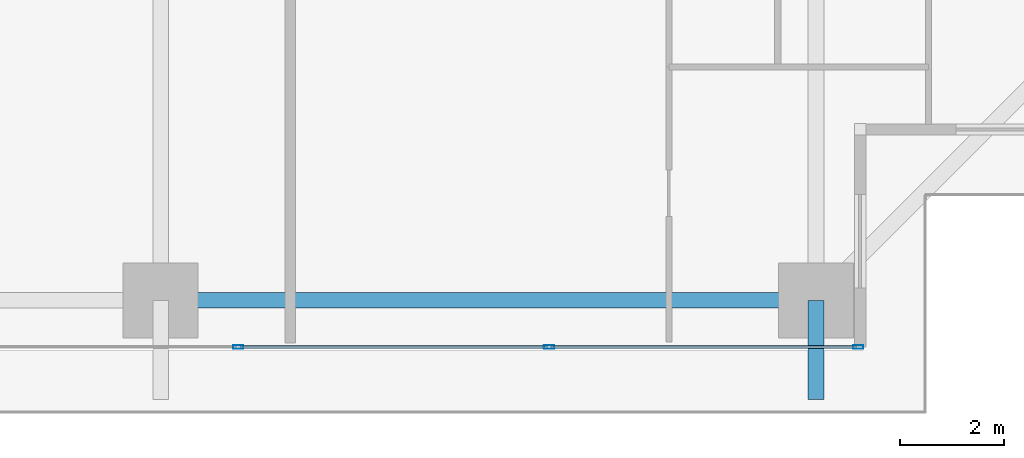
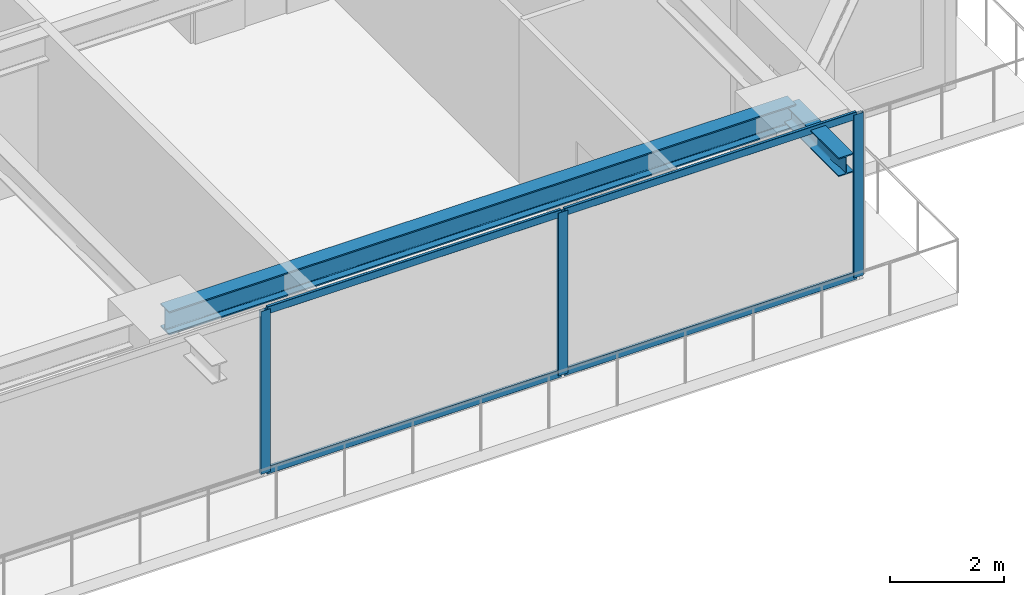
# One storey, part 10 of 38: 7 members, 2 beams, 1 element without a shape of its own.
"""IFC4 building model written with IfcOpenShell, lengths in metres."""

from ifc_helpers import new_model, si_unit, direction, frame, origin, origin_2d, place, context, subcontext, project, spatial, hollow_rectangle, i_section, extrude, source, transform, mapped, material, layer, layer_set, material_profile, profile_set, type_object, element, aggregate, save


model = new_model("IFC4")

# Units and contexts
model_context = context("Model", 3, precision=1e-05, world=origin(), true_north=direction((0.0, 1.0)))
body_context = subcontext(model_context, "Body", "Model", "MODEL_VIEW")
ifc_project = project(units=[si_unit("LENGTHUNIT", "METRE"), si_unit("AREAUNIT", "SQUARE_METRE"), si_unit("VOLUMEUNIT", "CUBIC_METRE"), si_unit("PLANEANGLEUNIT", "RADIAN"), si_unit("MASSUNIT", "GRAM", prefix="KILO")], contexts=[model_context])

# Site, building, storey
site_placement = place(None, origin())
site = spatial("IfcSite", under=ifc_project, at=site_placement, CompositionType="ELEMENT")
building_placement = place(site_placement, origin())
building = spatial("IfcBuilding", under=site, at=building_placement, Name="Serunith Strait Residences", CompositionType="ELEMENT")
storey_placement = place(building_placement, frame((0.0, 0.0, 67.949951171875)))
storey = spatial("IfcBuildingStorey", under=building, at=storey_placement, Name="L16", CompositionType="ELEMENT", Elevation=67.949951171875)

# Beams
ifc_material_1 = material(Name="Steel S355J2", Category="steel")
ifc_material_profile_1 = material_profile(ifc_material_1, i_section(OverallWidth=0.300048828125, OverallDepth=0.5, WebThickness=0.014404296875, FlangeThickness=0.028076171875, FilletRadius=0.027099609375, at=origin_2d()), Name="HEB 500")
ifc_profile_set_1 = profile_set([ifc_material_profile_1], Name="Steel S355J2")
beam_type_1 = type_object("IfcBeamType", Name="BM-HEB500", PredefinedType="BEAM", material=ifc_profile_set_1)
shared_shape_1 = source(origin(), body_context, "Body", "SweptSolid", [
    extrude(i_section(OverallWidth=0.300048828125, OverallDepth=0.5, WebThickness=0.014404296875, FlangeThickness=0.028076171875, FilletRadius=0.027099609375, at=origin_2d()), origin(), (0.0, 0.0, 1.0), 12.650146484375),
])
beam_1_placement = place(storey_placement, frame((36.89990234375, 1.10009765625, 3.237060546875), z_axis=(1.0, 0.0, 0.0), x_axis=(0.0, 1.0, 0.0)))
element("IfcBeam", 1, at=beam_1_placement, inside=storey, type_object=beam_type_1, Name="L16 Perimeter Ring Beam 03", PredefinedType="BEAM", context=body_context, shape_type="MappedRepresentation", body=[
    mapped(shared_shape_1, transform((0.0, 0.0, 0.0), scale=1.0)),
])
ifc_material_profile_2 = material_profile(ifc_material_1, i_section(OverallWidth=0.300048828125, OverallDepth=0.39990234375, WebThickness=0.013427734375, FlangeThickness=0.02392578125, FilletRadius=0.027099609375, at=origin_2d()), Name="HEB 400")
ifc_profile_set_2 = profile_set([ifc_material_profile_2], Name="Steel S355J2")
beam_type_2 = type_object("IfcBeamType", Name="BM-HEB400", PredefinedType="BEAM", material=ifc_profile_set_2)
shared_shape_2 = source(origin(), body_context, "Body", "SweptSolid", [
    extrude(i_section(OverallWidth=0.300048828125, OverallDepth=0.39990234375, WebThickness=0.013427734375, FlangeThickness=0.02392578125, FilletRadius=0.027099609375, at=origin_2d()), origin(), (0.0, 0.0, 1.0), 1.91015625),
])
beam_2_placement = place(storey_placement, frame((49.550048828125, 1.10009765625, 3.257080078125), z_axis=(0.0, -1.0, 0.0), x_axis=(1.0, 0.0, 0.0)))
element("IfcBeam", 2, at=beam_2_placement, inside=storey, type_object=beam_type_2, Name="L17 Cantilevered Balcony Rib TC-S4", PredefinedType="BEAM", context=body_context, shape_type="MappedRepresentation", body=[
    mapped(shared_shape_2, transform((0.0, 0.0, 0.0), scale=1.0)),
])

# Curtain wall, members
ifc_material_2 = material(Name="Pale-Champagne Anodised Aluminium", Category="aluminium")
ifc_layer = layer(ifc_material_2, 0.199951171875, Name="Pale-Champagne Anodised Aluminium")
ifc_layer_set = layer_set([ifc_layer], Name="Pale-Champagne Anodised Aluminium")
curtain_wall_type = type_object("IfcCurtainWallType", Name="CW-SYS1", PredefinedType="NOTDEFINED", material=ifc_layer_set)
curtain_wall_placement = place(storey_placement, origin())
curtain_wall = element("IfcCurtainWall", 3, at=curtain_wall_placement, inside=storey, type_object=curtain_wall_type, Name="L16 S Unitised Fritted Curtain Wall", PredefinedType="NOTDEFINED")
ifc_material_profile_3 = material_profile(ifc_material_2, hollow_rectangle(XDim=0.070068359375, YDim=0.199951171875, WallThickness=0.00390625, InnerFilletRadius=0.006103515625, OuterFilletRadius=0.010009765625, at=origin_2d()), Name="ALU 200x70x4")
ifc_profile_set_3 = profile_set([ifc_material_profile_3], Name="Pale-Champagne Anodised Aluminium")
member_type_1 = type_object("IfcMemberType", Name="CW-SYS1-MULL", PredefinedType="MULLION", material=ifc_profile_set_3)
shared_shape_3 = source(origin(), body_context, "Body", "SweptSolid", [
    extrude(hollow_rectangle(XDim=0.070068359375, YDim=0.199951171875, WallThickness=0.00390625, InnerFilletRadius=0.006103515625, OuterFilletRadius=0.010009765625, at=origin_2d()), origin(), (0.0, 0.0, 1.0), 3.47509765625),
])
member_1_placement = place(storey_placement, frame((38.39990234375, 0.199951171875, 0.0), z_axis=(0.0, 0.0, 1.0), x_axis=(0.0, 1.0, 0.0)))
member_1 = element("IfcMember", 4, at=member_1_placement, type_object=member_type_1, Name="CW-1 mullion 5", PredefinedType="MULLION", context=body_context, shape_type="MappedRepresentation", body=[
    mapped(shared_shape_3, transform((0.0, 0.0, 0.0), scale=1.0)),
])
member_2_placement = place(storey_placement, frame((44.39990234375, 0.199951171875, 0.0), z_axis=(0.0, 0.0, 1.0), x_axis=(0.0, 1.0, 0.0)))
member_2 = element("IfcMember", 5, at=member_2_placement, type_object=member_type_1, Name="CW-1 mullion 6", PredefinedType="MULLION", context=body_context, shape_type="MappedRepresentation", body=[
    mapped(shared_shape_3, transform((0.0, 0.0, 0.0), scale=1.0)),
])
member_3_placement = place(storey_placement, frame((50.364990234375, 0.199951171875, 0.0), z_axis=(0.0, 0.0, 1.0), x_axis=(0.0, 1.0, 0.0)))
member_3 = element("IfcMember", 6, at=member_3_placement, type_object=member_type_1, Name="CW-1 mullion 7", PredefinedType="MULLION", context=body_context, shape_type="MappedRepresentation", body=[
    mapped(shared_shape_3, transform((0.0, 0.0, 0.0), scale=1.0)),
])
ifc_material_profile_4 = material_profile(ifc_material_2, hollow_rectangle(XDim=0.06005859375, YDim=0.159912109375, WallThickness=0.00341796875, InnerFilletRadius=0.00537109375, OuterFilletRadius=0.0087890625, at=origin_2d()), Name="ALU 160x60x3.5")
ifc_profile_set_4 = profile_set([ifc_material_profile_4], Name="Pale-Champagne Anodised Aluminium")
member_type_2 = type_object("IfcMemberType", Name="CW-SYS1-TRAN", PredefinedType="USERDEFINED", material=ifc_profile_set_4)
shared_shape_4 = source(origin(), body_context, "Body", "SweptSolid", [
    extrude(hollow_rectangle(XDim=0.06005859375, YDim=0.159912109375, WallThickness=0.00341796875, InnerFilletRadius=0.00537109375, OuterFilletRadius=0.0087890625, at=origin_2d()), origin(), (0.0, 0.0, 1.0), 5.89501953125),
])
member_4_placement = place(storey_placement, frame((44.43505859375, 0.199951171875, 0.030029296875), z_axis=(1.0, 0.0, 0.0), x_axis=(0.0, 1.0, 0.0)))
member_4 = element("IfcMember", 7, at=member_4_placement, type_object=member_type_2, Name="CW-1 transom 6.1", ObjectType="TRANSOM", PredefinedType="USERDEFINED", context=body_context, shape_type="MappedRepresentation", body=[
    mapped(shared_shape_4, transform((0.0, 0.0, 0.0), scale=1.0)),
])
member_5_placement = place(storey_placement, frame((44.43505859375, 0.199951171875, 3.445068359375), z_axis=(1.0, 0.0, 0.0), x_axis=(0.0, 1.0, 0.0)))
member_5 = element("IfcMember", 8, at=member_5_placement, type_object=member_type_2, Name="CW-1 transom 6.2", ObjectType="TRANSOM", PredefinedType="USERDEFINED", context=body_context, shape_type="MappedRepresentation", body=[
    mapped(shared_shape_4, transform((0.0, 0.0, 0.0), scale=1.0)),
])
shared_shape_5 = source(origin(), body_context, "Body", "SweptSolid", [
    extrude(hollow_rectangle(XDim=0.06005859375, YDim=0.159912109375, WallThickness=0.00341796875, InnerFilletRadius=0.00537109375, OuterFilletRadius=0.0087890625, at=origin_2d()), origin(), (0.0, 0.0, 1.0), 5.929931640625),
])
member_6_placement = place(storey_placement, frame((38.43505859375, 0.199951171875, 0.030029296875), z_axis=(1.0, 0.0, 0.0), x_axis=(0.0, 1.0, 0.0)))
member_6 = element("IfcMember", 9, at=member_6_placement, type_object=member_type_2, Name="CW-1 transom 5.1", ObjectType="TRANSOM", PredefinedType="USERDEFINED", context=body_context, shape_type="MappedRepresentation", body=[
    mapped(shared_shape_5, transform((0.0, 0.0, 0.0), scale=1.0)),
])
member_7_placement = place(storey_placement, frame((38.43505859375, 0.199951171875, 3.445068359375), z_axis=(1.0, 0.0, 0.0), x_axis=(0.0, 1.0, 0.0)))
member_7 = element("IfcMember", 10, at=member_7_placement, type_object=member_type_2, Name="CW-1 transom 5.2", ObjectType="TRANSOM", PredefinedType="USERDEFINED", context=body_context, shape_type="MappedRepresentation", body=[
    mapped(shared_shape_5, transform((0.0, 0.0, 0.0), scale=1.0)),
])
aggregate(curtain_wall, [member_1, member_2, member_3, member_6, member_7, member_4, member_5])

save(model, "model.ifc")
